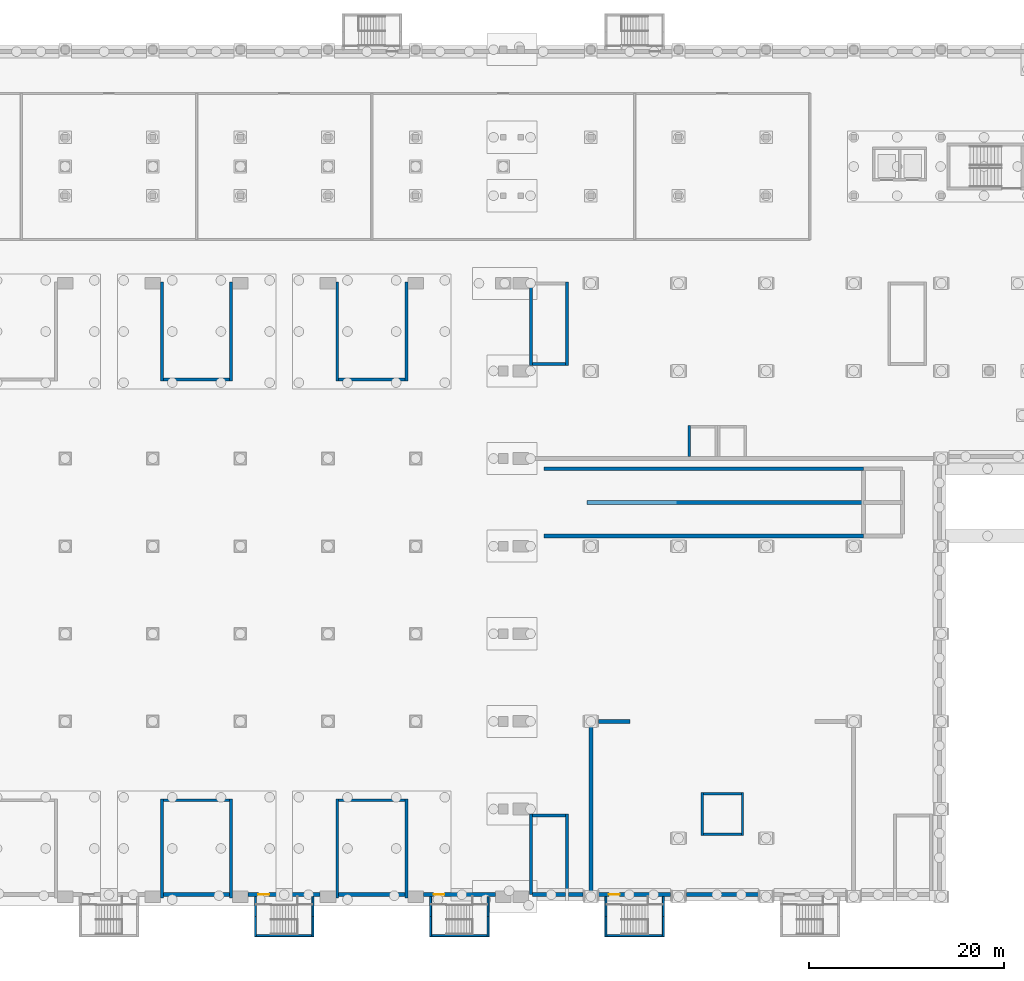
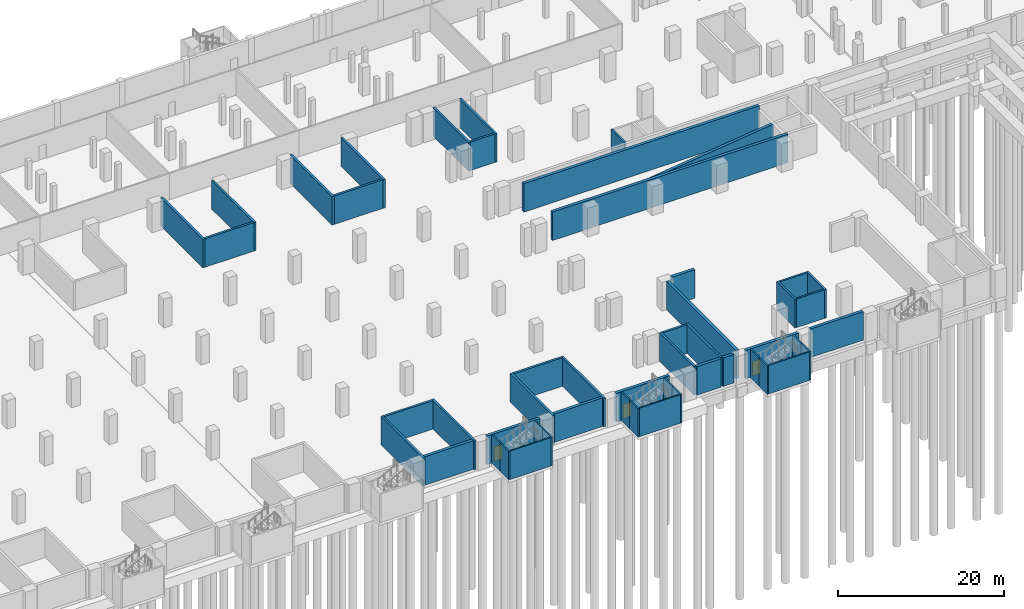
# One storey, part 11 of 29: 51 walls, 3 doors, 3 openings.
"""IFC4 building model written with IfcOpenShell, lengths in metres."""

from ifc_helpers import new_model, si_unit, direction, frame, frame_2d, origin, place, context, subcontext, project, spatial, polyline, rectangle, outline, extrude, material, layer, layer_set, type_object, element, fill, save


model = new_model("IFC4")

# Units and contexts
model_context = context("Model", 3, precision=1e-05, world=origin(), true_north=direction((0.0, 1.0)))
body_context = subcontext(model_context, "Body", "Model", "MODEL_VIEW")
ifc_project = project(units=[si_unit("LENGTHUNIT", "METRE"), si_unit("AREAUNIT", "SQUARE_METRE"), si_unit("VOLUMEUNIT", "CUBIC_METRE"), si_unit("PLANEANGLEUNIT", "RADIAN"), si_unit("MASSUNIT", "GRAM", prefix="KILO")], contexts=[model_context])

# Site, building, storey
site_placement = place(None, origin())
site = spatial("IfcSite", under=ifc_project, at=site_placement, CompositionType="ELEMENT")
building_placement = place(site_placement, origin())
building = spatial("IfcBuilding", under=site, at=building_placement, Name="Aravalli Gate Trade Fair Centre", CompositionType="ELEMENT")
storey_placement = place(building_placement, frame((0.0, 0.0, -8.39990234375)))
storey = spatial("IfcBuildingStorey", under=building, at=storey_placement, Name="B2", CompositionType="ELEMENT", Elevation=-8.39990234375)

# Walls
ifc_material_1 = material(Name="Concrete M40", Category="concrete")
ifc_layer_1 = layer(ifc_material_1, 0.39990234375)
ifc_layer_set_1 = layer_set([ifc_layer_1], Name="Concrete M40")
wall_type_1 = type_object("IfcWallType", Name="Basement ramp edge wall 400", PredefinedType="SOLIDWALL", material=ifc_layer_set_1)
wall_1_placement = place(storey_placement, frame((142.0, 83.050048828125, 0.0), z_axis=(0.0, 0.0, 1.0), x_axis=(-1.0, 0.0, 0.0)))
element("IfcWall", 1, at=wall_1_placement, inside=storey, type_object=wall_type_1, Name="Ramp edge wall south b", PredefinedType="SOLIDWALL", context=body_context, shape_type="SweptSolid", body=[
    extrude(rectangle(XDim=32.8232421875, YDim=0.39990234375, at=frame_2d((16.41162109375, 0.0))), origin(), (0.0, 0.0, 1.0), 4.199951171875),
])
wall_2_placement = place(storey_placement, frame((142.0, 86.5, 0.0), z_axis=(0.0, 0.0, 1.0), x_axis=(-1.0, 0.0, 0.0)))
element("IfcWall", 2, at=wall_2_placement, inside=storey, type_object=wall_type_1, Name="Ramp bearing wall centre b", PredefinedType="SOLIDWALL", context=body_context, shape_type="SweptSolid", body=[
    extrude(outline(polyline([(0.0, 0.0), (28.39990234375, 0.0), (28.39990234375, 0.0498046875), (0.0, 3.599853515625), (0.0, 0.0)])), frame((0.0, 0.199951171875, 0.0), z_axis=(0.0, -1.0, 0.0), x_axis=(1.0, 0.0, 0.0)), (0.0, 0.0, 1.0), 0.39990234375),
])
wall_3_placement = place(storey_placement, frame((142.0, 89.949951171875, 0.0), z_axis=(0.0, 0.0, 1.0), x_axis=(-1.0, 0.0, 0.0)))
element("IfcWall", 3, at=wall_3_placement, inside=storey, type_object=wall_type_1, Name="Ramp edge wall north b", PredefinedType="SOLIDWALL", context=body_context, shape_type="SweptSolid", body=[
    extrude(rectangle(XDim=32.8232421875, YDim=0.39990234375, at=frame_2d((16.41162109375, 0.0))), origin(), (0.0, 0.0, 1.0), 4.199951171875),
])
ifc_layer_2 = layer(ifc_material_1, 0.39990234375)
ifc_layer_set_2 = layer_set([ifc_layer_2], Name="Concrete M40")
wall_type_2 = type_object("IfcWallType", Name="Basement retaining wall 400", PredefinedType="SOLIDWALL", material=ifc_layer_set_2)
wall_4_placement = place(storey_placement, frame((70.10009765625, 46.199951171875, 0.0), z_axis=(0.0, 0.0, 1.0), x_axis=(1.0, 0.0, 0.0)))
element("IfcWall", 4, at=wall_4_placement, inside=storey, type_object=wall_type_2, Name="Retaining wall S08 B2", PredefinedType="SOLIDWALL", context=body_context, shape_type="SweptSolid", body=[
    extrude(rectangle(XDim=6.7998046875, YDim=0.39990234375, at=frame_2d((3.39990234375, 0.0))), origin(), (0.0, 0.0, 1.0), 4.199951171875),
])

# Wall, opening, door
wall_5_placement = place(storey_placement, frame((78.800048828125, 46.199951171875, 0.0), z_axis=(0.0, 0.0, 1.0), x_axis=(1.0, 0.0, 0.0)))
wall_5 = element("IfcWall", 5, at=wall_5_placement, inside=storey, type_object=wall_type_2, Name="Retaining wall S09 B2", PredefinedType="SOLIDWALL", context=body_context, shape_type="SweptSolid", body=[
    extrude(rectangle(XDim=7.39990234375, YDim=0.39990234375, at=frame_2d((3.699951171875, 0.0))), origin(), (0.0, 0.0, 1.0), 4.199951171875),
])
opening_1_placement = place(wall_5_placement, frame((1.050048828125, 0.0, 0.0)))
opening_1 = element("IfcOpeningElement", 6, at=opening_1_placement, cuts=wall_5, Name="Opening B-B2-10", PredefinedType="OPENING", context=body_context, shape_type="SweptSolid", body=[
    extrude(rectangle(XDim=1.10009765625, YDim=2.10009765625, at=frame_2d((0.550048828125, 1.050048828125))), frame((0.0, 0.2099609375, 0.0), z_axis=(0.0, -1.0, 0.0), x_axis=(1.0, 0.0, 0.0)), (0.0, 0.0, 1.0), 0.419921875),
])
ifc_material_2 = material(Name="Steel", Category="steel")
door_type = type_object("IfcDoorType", Name="Basement stair door 1100x2100", OperationType="SINGLE_SWING_LEFT", PredefinedType="DOOR", material=ifc_material_2)
door_1_placement = place(opening_1_placement, frame((1.10009765625, 0.0, 0.0), z_axis=(0.0, 0.0, 1.0), x_axis=(-1.0, 0.0, 0.0)))
door_1 = element("IfcDoor", 7, at=door_1_placement, inside=storey, type_object=door_type, Name="Basement stair S4 door B2", OperationType="SINGLE_SWING_RIGHT", OverallHeight=2.10009765625, OverallWidth=1.10009765625, PredefinedType="DOOR", context=body_context, shape_type="SweptSolid", body=[
    extrude(rectangle(XDim=1.10009765625, YDim=2.10009765625, at=frame_2d((0.550048828125, 1.050048828125))), frame((0.0, 0.02490234375, 0.0), z_axis=(0.0, -1.0, 0.0), x_axis=(1.0, 0.0, 0.0)), (0.0, 0.0, 1.0), 0.050048828125),
])
fill(opening_1, door_1)

# Wall
wall_6_placement = place(storey_placement, frame((88.10009765625, 46.199951171875, 0.0), z_axis=(0.0, 0.0, 1.0), x_axis=(1.0, 0.0, 0.0)))
element("IfcWall", 8, at=wall_6_placement, inside=storey, type_object=wall_type_2, Name="Retaining wall S10 B2", PredefinedType="SOLIDWALL", context=body_context, shape_type="SweptSolid", body=[
    extrude(rectangle(XDim=6.7998046875, YDim=0.39990234375, at=frame_2d((3.39990234375, 0.0))), origin(), (0.0, 0.0, 1.0), 4.199951171875),
])

# Wall, opening, door
wall_7_placement = place(storey_placement, frame((96.800048828125, 46.199951171875, 0.0), z_axis=(0.0, 0.0, 1.0), x_axis=(1.0, 0.0, 0.0)))
wall_7 = element("IfcWall", 9, at=wall_7_placement, inside=storey, type_object=wall_type_2, Name="Retaining wall S11 B2", PredefinedType="SOLIDWALL", context=body_context, shape_type="SweptSolid", body=[
    extrude(rectangle(XDim=7.39990234375, YDim=0.39990234375, at=frame_2d((3.699951171875, 0.0))), origin(), (0.0, 0.0, 1.0), 4.199951171875),
])
opening_2_placement = place(wall_7_placement, frame((1.050048828125, 0.0, 0.0)))
opening_2 = element("IfcOpeningElement", 10, at=opening_2_placement, cuts=wall_7, Name="Opening B-B2-11", PredefinedType="OPENING", context=body_context, shape_type="SweptSolid", body=[
    extrude(rectangle(XDim=1.10009765625, YDim=2.10009765625, at=frame_2d((0.550048828125, 1.050048828125))), frame((0.0, 0.2099609375, 0.0), z_axis=(0.0, -1.0, 0.0), x_axis=(1.0, 0.0, 0.0)), (0.0, 0.0, 1.0), 0.419921875),
])
door_2_placement = place(opening_2_placement, frame((1.10009765625, 0.0, 0.0), z_axis=(0.0, 0.0, 1.0), x_axis=(-1.0, 0.0, 0.0)))
door_2 = element("IfcDoor", 11, at=door_2_placement, inside=storey, type_object=door_type, Name="Basement stair S5 door B2", OperationType="SINGLE_SWING_RIGHT", OverallHeight=2.10009765625, OverallWidth=1.10009765625, PredefinedType="DOOR", context=body_context, shape_type="SweptSolid", body=[
    extrude(rectangle(XDim=1.10009765625, YDim=2.10009765625, at=frame_2d((0.550048828125, 1.050048828125))), frame((0.0, 0.02490234375, 0.0), z_axis=(0.0, -1.0, 0.0), x_axis=(1.0, 0.0, 0.0)), (0.0, 0.0, 1.0), 0.050048828125),
])
fill(opening_2, door_2)

# Walls
wall_8_placement = place(storey_placement, frame((108.0, 46.199951171875, 0.0), z_axis=(0.0, 0.0, 1.0), x_axis=(1.0, 0.0, 0.0)))
element("IfcWall", 12, at=wall_8_placement, inside=storey, type_object=wall_type_2, Name="Retaining wall S12 B2", PredefinedType="SOLIDWALL", context=body_context, shape_type="SweptSolid", body=[
    extrude(rectangle(XDim=3.39990234375, YDim=0.39990234375, at=frame_2d((1.699951171875, 0.0))), origin(), (0.0, 0.0, 1.0), 4.199951171875),
])
wall_9_placement = place(storey_placement, frame((111.699951171875, 46.199951171875, 0.0), z_axis=(0.0, 0.0, 1.0), x_axis=(1.0, 0.0, 0.0)))
element("IfcWall", 13, at=wall_9_placement, inside=storey, type_object=wall_type_2, Name="Retaining wall S13 B2", PredefinedType="SOLIDWALL", context=body_context, shape_type="SweptSolid", body=[
    extrude(rectangle(XDim=1.5, YDim=0.39990234375, at=frame_2d((0.75, 0.0))), origin(), (0.0, 0.0, 1.0), 4.199951171875),
])

# Wall, opening, door
wall_10_placement = place(storey_placement, frame((114.800048828125, 46.199951171875, 0.0), z_axis=(0.0, 0.0, 1.0), x_axis=(1.0, 0.0, 0.0)))
wall_10 = element("IfcWall", 14, at=wall_10_placement, inside=storey, type_object=wall_type_2, Name="Retaining wall S14 B2", PredefinedType="SOLIDWALL", context=body_context, shape_type="SweptSolid", body=[
    extrude(rectangle(XDim=7.39990234375, YDim=0.39990234375, at=frame_2d((3.699951171875, 0.0))), origin(), (0.0, 0.0, 1.0), 4.199951171875),
])
opening_3_placement = place(wall_10_placement, frame((1.050048828125, 0.0, 0.0)))
opening_3 = element("IfcOpeningElement", 15, at=opening_3_placement, cuts=wall_10, Name="Opening B-B2-12", PredefinedType="OPENING", context=body_context, shape_type="SweptSolid", body=[
    extrude(rectangle(XDim=1.10009765625, YDim=2.10009765625, at=frame_2d((0.550048828125, 1.050048828125))), frame((0.0, 0.2099609375, 0.0), z_axis=(0.0, -1.0, 0.0), x_axis=(1.0, 0.0, 0.0)), (0.0, 0.0, 1.0), 0.419921875),
])
door_3_placement = place(opening_3_placement, frame((1.10009765625, 0.0, 0.0), z_axis=(0.0, 0.0, 1.0), x_axis=(-1.0, 0.0, 0.0)))
door_3 = element("IfcDoor", 16, at=door_3_placement, inside=storey, type_object=door_type, Name="Basement stair S6 door B2", OperationType="SINGLE_SWING_RIGHT", OverallHeight=2.10009765625, OverallWidth=1.10009765625, PredefinedType="DOOR", context=body_context, shape_type="SweptSolid", body=[
    extrude(rectangle(XDim=1.10009765625, YDim=2.10009765625, at=frame_2d((0.550048828125, 1.050048828125))), frame((0.0, 0.02490234375, 0.0), z_axis=(0.0, -1.0, 0.0), x_axis=(1.0, 0.0, 0.0)), (0.0, 0.0, 1.0), 0.050048828125),
])
fill(opening_3, door_3)

# Walls
wall_11_placement = place(storey_placement, frame((123.800048828125, 46.199951171875, 0.0), z_axis=(0.0, 0.0, 1.0), x_axis=(1.0, 0.0, 0.0)))
element("IfcWall", 17, at=wall_11_placement, inside=storey, type_object=wall_type_2, Name="Retaining wall S15 B2", PredefinedType="SOLIDWALL", context=body_context, shape_type="SweptSolid", body=[
    extrude(rectangle(XDim=7.39990234375, YDim=0.39990234375, at=frame_2d((3.699951171875, 0.0))), origin(), (0.0, 0.0, 1.0), 4.199951171875),
])
ifc_material_3 = material(Name="Concrete M35", Category="concrete")
ifc_layer_3 = layer(ifc_material_3, 0.199951171875)
ifc_layer_set_3 = layer_set([ifc_layer_3], Name="Concrete M35")
wall_type_3 = type_object("IfcWallType", Name="Basement stair enclosure wall 200", PredefinedType="SOLIDWALL", material=ifc_layer_set_3)
for number, where, z_axis, x_axis, name in (
    (18, (79.550048828125, 46.0, 0.0), (0.0, 0.0, 1.0), (0.0, -1.0, 0.0), "Basement stair S4 enclosure wall L1 B2"),
    (19, (79.550048828125, 43.949951171875, 0.0), (0.0, 0.0, 1.0), (0.0, -1.0, 0.0), "Basement stair S4 enclosure wall L2 B2"),
    (20, (85.449951171875, 46.0, 0.0), (0.0, 0.0, 1.0), (0.0, -1.0, 0.0), "Basement stair S4 enclosure wall R1 B2"),
    (21, (85.449951171875, 43.949951171875, 0.0), (0.0, 0.0, 1.0), (0.0, -1.0, 0.0), "Basement stair S4 enclosure wall R2 B2"),
):
    element("IfcWall", number, at=place(storey_placement, frame(where, z_axis=z_axis, x_axis=x_axis)), inside=storey, type_object=wall_type_3, Name=name, PredefinedType="SOLIDWALL", context=body_context, shape_type="SweptSolid", body=[
        extrude(rectangle(XDim=2.050048828125, YDim=0.199951171875, at=frame_2d((1.02490234375, 0.0))), origin(), (0.0, 0.0, 1.0), 4.199951171875),
    ])
wall_12_placement = place(storey_placement, frame((79.64990234375, 42.0, 0.0), z_axis=(0.0, 0.0, 1.0), x_axis=(1.0, 0.0, 0.0)))
element("IfcWall", 22, at=wall_12_placement, inside=storey, type_object=wall_type_3, Name="Basement stair S4 enclosure wall O B2", PredefinedType="SOLIDWALL", context=body_context, shape_type="SweptSolid", body=[
    extrude(rectangle(XDim=5.7001953125, YDim=0.199951171875, at=frame_2d((2.85009765625, 0.0))), origin(), (0.0, 0.0, 1.0), 4.199951171875),
])
for number, where, z_axis, x_axis, name in (
    (23, (97.550048828125, 46.0, 0.0), (0.0, 0.0, 1.0), (0.0, -1.0, 0.0), "Basement stair S5 enclosure wall L1 B2"),
    (24, (97.550048828125, 43.949951171875, 0.0), (0.0, 0.0, 1.0), (0.0, -1.0, 0.0), "Basement stair S5 enclosure wall L2 B2"),
    (25, (103.449951171875, 46.0, 0.0), (0.0, 0.0, 1.0), (0.0, -1.0, 0.0), "Basement stair S5 enclosure wall R1 B2"),
    (26, (103.449951171875, 43.949951171875, 0.0), (0.0, 0.0, 1.0), (0.0, -1.0, 0.0), "Basement stair S5 enclosure wall R2 B2"),
):
    element("IfcWall", number, at=place(storey_placement, frame(where, z_axis=z_axis, x_axis=x_axis)), inside=storey, type_object=wall_type_3, Name=name, PredefinedType="SOLIDWALL", context=body_context, shape_type="SweptSolid", body=[
        extrude(rectangle(XDim=2.050048828125, YDim=0.199951171875, at=frame_2d((1.02490234375, 0.0))), origin(), (0.0, 0.0, 1.0), 4.199951171875),
    ])
wall_13_placement = place(storey_placement, frame((97.64990234375, 42.0, 0.0), z_axis=(0.0, 0.0, 1.0), x_axis=(1.0, 0.0, 0.0)))
element("IfcWall", 27, at=wall_13_placement, inside=storey, type_object=wall_type_3, Name="Basement stair S5 enclosure wall O B2", PredefinedType="SOLIDWALL", context=body_context, shape_type="SweptSolid", body=[
    extrude(rectangle(XDim=5.7001953125, YDim=0.199951171875, at=frame_2d((2.85009765625, 0.0))), origin(), (0.0, 0.0, 1.0), 4.199951171875),
])
for number, where, z_axis, x_axis, name in (
    (28, (115.550048828125, 46.0, 0.0), (0.0, 0.0, 1.0), (0.0, -1.0, 0.0), "Basement stair S6 enclosure wall L1 B2"),
    (29, (115.550048828125, 43.949951171875, 0.0), (0.0, 0.0, 1.0), (0.0, -1.0, 0.0), "Basement stair S6 enclosure wall L2 B2"),
    (30, (121.449951171875, 46.0, 0.0), (0.0, 0.0, 1.0), (0.0, -1.0, 0.0), "Basement stair S6 enclosure wall R1 B2"),
    (31, (121.449951171875, 43.949951171875, 0.0), (0.0, 0.0, 1.0), (0.0, -1.0, 0.0), "Basement stair S6 enclosure wall R2 B2"),
):
    element("IfcWall", number, at=place(storey_placement, frame(where, z_axis=z_axis, x_axis=x_axis)), inside=storey, type_object=wall_type_3, Name=name, PredefinedType="SOLIDWALL", context=body_context, shape_type="SweptSolid", body=[
        extrude(rectangle(XDim=2.050048828125, YDim=0.199951171875, at=frame_2d((1.02490234375, 0.0))), origin(), (0.0, 0.0, 1.0), 4.199951171875),
    ])
wall_14_placement = place(storey_placement, frame((115.64990234375, 42.0, 0.0), z_axis=(0.0, 0.0, 1.0), x_axis=(1.0, 0.0, 0.0)))
element("IfcWall", 32, at=wall_14_placement, inside=storey, type_object=wall_type_3, Name="Basement stair S6 enclosure wall O B2", PredefinedType="SOLIDWALL", context=body_context, shape_type="SweptSolid", body=[
    extrude(rectangle(XDim=5.7001953125, YDim=0.199951171875, at=frame_2d((2.85009765625, 0.0))), origin(), (0.0, 0.0, 1.0), 4.199951171875),
])
ifc_layer_4 = layer(ifc_material_1, 0.25)
ifc_layer_set_4 = layer_set([ifc_layer_4], Name="Concrete M40")
wall_type_4 = type_object("IfcWallType", Name="Congress RC wall 250 shaft", PredefinedType="SHEAR", material=ifc_layer_set_4)
for number, where, z_axis, x_axis, name in (
    (33, (125.425048828125, 52.300048828125, 0.0), (0.0, 0.0, 1.0), (0.0, 1.0, 0.0), "Goods lift shaft wall W B2"),
    (34, (129.574951171875, 52.300048828125, 0.0), (0.0, 0.0, 1.0), (0.0, 1.0, 0.0), "Goods lift shaft wall E B2"),
):
    element("IfcWall", number, at=place(storey_placement, frame(where, z_axis=z_axis, x_axis=x_axis)), inside=storey, type_object=wall_type_4, Name=name, PredefinedType="SHEAR", context=body_context, shape_type="SweptSolid", body=[
        extrude(rectangle(XDim=4.39990234375, YDim=0.25, at=frame_2d((2.199951171875, 0.0))), origin(), (0.0, 0.0, 1.0), 4.199951171875),
    ])
for number, where, z_axis, x_axis, name in (
    (35, (125.550048828125, 52.425048828125, 0.0), (0.0, 0.0, 1.0), (1.0, 0.0, 0.0), "Goods lift shaft wall F B2"),
    (36, (125.550048828125, 56.574951171875, 0.0), (0.0, 0.0, 1.0), (1.0, 0.0, 0.0), "Goods lift shaft wall N B2"),
):
    element("IfcWall", number, at=place(storey_placement, frame(where, z_axis=z_axis, x_axis=x_axis)), inside=storey, type_object=wall_type_4, Name=name, PredefinedType="SHEAR", context=body_context, shape_type="SweptSolid", body=[
        extrude(rectangle(XDim=3.89990234375, YDim=0.25, at=frame_2d((1.949951171875, 0.0))), origin(), (0.0, 0.0, 1.0), 4.199951171875),
    ])
wall_15_placement = place(storey_placement, frame((124.125, 91.199951171875, 0.0), z_axis=(0.0, 0.0, 1.0), x_axis=(0.0, 1.0, 0.0)))
element("IfcWall", 37, at=wall_15_placement, inside=storey, type_object=wall_type_4, Name="Lift GL1 shaft wall W B2", PredefinedType="SHEAR", context=body_context, shape_type="SweptSolid", body=[
    extrude(rectangle(XDim=3.199951171875, YDim=0.25, at=frame_2d((1.60009765625, 0.0))), origin(), (0.0, 0.0, 1.0), 4.199951171875),
])
ifc_layer_5 = layer(ifc_material_1, 0.300048828125)
ifc_layer_set_5 = layer_set([ifc_layer_5], Name="Concrete M40")
wall_type_5 = type_object("IfcWallType", Name="Congress RC wall 300", PredefinedType="SHEAR", material=ifc_layer_set_5)
for number, where, z_axis, x_axis, name in (
    (38, (107.85009765625, 46.199951171875, 0.0), (0.0, 0.0, 1.0), (0.0, 1.0, 0.0), "Stage Stair West wall W B2"),
    (39, (111.550048828125, 46.199951171875, 0.0), (0.0, 0.0, 1.0), (0.0, 1.0, 0.0), "Stage Stair West wall E B2"),
):
    element("IfcWall", number, at=place(storey_placement, frame(where, z_axis=z_axis, x_axis=x_axis)), inside=storey, type_object=wall_type_5, Name=name, PredefinedType="SHEAR", context=body_context, shape_type="SweptSolid", body=[
        extrude(rectangle(XDim=8.300048828125, YDim=0.300048828125, at=frame_2d((4.14990234375, 0.0))), origin(), (0.0, 0.0, 1.0), 4.199951171875),
    ])
wall_16_placement = place(storey_placement, frame((108.0, 54.35009765625, 0.0), z_axis=(0.0, 0.0, 1.0), x_axis=(1.0, 0.0, 0.0)))
element("IfcWall", 40, at=wall_16_placement, inside=storey, type_object=wall_type_5, Name="Stage Stair West wall N B2", PredefinedType="SHEAR", context=body_context, shape_type="SweptSolid", body=[
    extrude(rectangle(XDim=3.39990234375, YDim=0.300048828125, at=frame_2d((1.699951171875, 0.0))), origin(), (0.0, 0.0, 1.0), 4.199951171875),
])
for number, where, z_axis, x_axis, name in (
    (41, (107.85009765625, 100.550048828125, 0.0), (0.0, 0.0, 1.0), (0.0, 1.0, 0.0), "Foyer Stair West wall W B2"),
    (42, (111.550048828125, 100.550048828125, 0.0), (0.0, 0.0, 1.0), (0.0, 1.0, 0.0), "Foyer Stair West wall E B2"),
):
    element("IfcWall", number, at=place(storey_placement, frame(where, z_axis=z_axis, x_axis=x_axis)), inside=storey, type_object=wall_type_5, Name=name, PredefinedType="SHEAR", context=body_context, shape_type="SweptSolid", body=[
        extrude(rectangle(XDim=8.599853515625, YDim=0.300048828125, at=frame_2d((4.2998046875, 0.0))), origin(), (0.0, 0.0, 1.0), 4.199951171875),
    ])
wall_17_placement = place(storey_placement, frame((108.0, 100.699951171875, 0.0), z_axis=(0.0, 0.0, 1.0), x_axis=(1.0, 0.0, 0.0)))
element("IfcWall", 43, at=wall_17_placement, inside=storey, type_object=wall_type_5, Name="Foyer Stair West wall S B2", PredefinedType="SHEAR", context=body_context, shape_type="SweptSolid", body=[
    extrude(rectangle(XDim=3.39990234375, YDim=0.300048828125, at=frame_2d((1.699951171875, 0.0))), origin(), (0.0, 0.0, 1.0), 4.199951171875),
])
ifc_layer_6 = layer(ifc_material_1, 0.39990234375)
ifc_layer_set_6 = layer_set([ifc_layer_6], Name="Concrete M40")
wall_type_6 = type_object("IfcWallType", Name="Congress RC wall 400", PredefinedType="SHEAR", material=ifc_layer_set_6)
wall_18_placement = place(storey_placement, frame((114.0, 46.60009765625, 0.0), z_axis=(0.0, 0.0, 1.0), x_axis=(0.0, 1.0, 0.0)))
element("IfcWall", 44, at=wall_18_placement, inside=storey, type_object=wall_type_6, Name="Stage house wall line 114 B2", PredefinedType="SHEAR", context=body_context, shape_type="SweptSolid", body=[
    extrude(rectangle(XDim=16.7998046875, YDim=0.39990234375, at=frame_2d((8.39990234375, 0.0))), origin(), (0.0, 0.0, 1.0), 4.199951171875),
])
wall_19_placement = place(storey_placement, frame((114.800048828125, 64.0, 0.0), z_axis=(0.0, 0.0, 1.0), x_axis=(1.0, 0.0, 0.0)))
element("IfcWall", 45, at=wall_19_placement, inside=storey, type_object=wall_type_6, Name="Proscenium wall W B2", PredefinedType="SHEAR", context=body_context, shape_type="SweptSolid", body=[
    extrude(rectangle(XDim=3.199951171875, YDim=0.39990234375, at=frame_2d((1.60009765625, 0.0))), origin(), (0.0, 0.0, 1.0), 4.199951171875),
])
ifc_layer_7 = layer(ifc_material_1, 0.300048828125)
ifc_layer_set_7 = layer_set([ifc_layer_7], Name="Concrete M40")
wall_type_7 = type_object("IfcWallType", Name="Stair tower wall RC 300", PredefinedType="SHEAR", material=ifc_layer_set_7)
for number, where, z_axis, x_axis, name in (
    (46, (69.949951171875, 45.85009765625, 0.0), (0.0, 0.0, 1.0), (0.0, 1.0, 0.0), "Stair tower S08 wall W B2"),
    (47, (77.050048828125, 45.85009765625, 0.0), (0.0, 0.0, 1.0), (0.0, 1.0, 0.0), "Stair tower S08 wall E B2"),
):
    element("IfcWall", number, at=place(storey_placement, frame(where, z_axis=z_axis, x_axis=x_axis)), inside=storey, type_object=wall_type_7, Name=name, PredefinedType="SHEAR", context=body_context, shape_type="SweptSolid", body=[
        extrude(rectangle(XDim=10.199951171875, YDim=0.300048828125, at=frame_2d((5.10009765625, 0.0))), origin(), (0.0, 0.0, 1.0), 4.199951171875),
    ])
wall_20_placement = place(storey_placement, frame((70.10009765625, 55.89990234375, 0.0), z_axis=(0.0, 0.0, 1.0), x_axis=(1.0, 0.0, 0.0)))
element("IfcWall", 48, at=wall_20_placement, inside=storey, type_object=wall_type_7, Name="Stair tower S08 wall F B2", PredefinedType="SHEAR", context=body_context, shape_type="SweptSolid", body=[
    extrude(rectangle(XDim=6.7998046875, YDim=0.300048828125, at=frame_2d((3.39990234375, 0.0))), origin(), (0.0, 0.0, 1.0), 4.199951171875),
])
for number, where, z_axis, x_axis, name in (
    (49, (87.949951171875, 45.85009765625, 0.0), (0.0, 0.0, 1.0), (0.0, 1.0, 0.0), "Stair tower S10 wall W B2"),
    (50, (95.050048828125, 45.85009765625, 0.0), (0.0, 0.0, 1.0), (0.0, 1.0, 0.0), "Stair tower S10 wall E B2"),
):
    element("IfcWall", number, at=place(storey_placement, frame(where, z_axis=z_axis, x_axis=x_axis)), inside=storey, type_object=wall_type_7, Name=name, PredefinedType="SHEAR", context=body_context, shape_type="SweptSolid", body=[
        extrude(rectangle(XDim=10.199951171875, YDim=0.300048828125, at=frame_2d((5.10009765625, 0.0))), origin(), (0.0, 0.0, 1.0), 4.199951171875),
    ])
wall_21_placement = place(storey_placement, frame((88.10009765625, 55.89990234375, 0.0), z_axis=(0.0, 0.0, 1.0), x_axis=(1.0, 0.0, 0.0)))
element("IfcWall", 51, at=wall_21_placement, inside=storey, type_object=wall_type_7, Name="Stair tower S10 wall F B2", PredefinedType="SHEAR", context=body_context, shape_type="SweptSolid", body=[
    extrude(rectangle(XDim=6.7998046875, YDim=0.300048828125, at=frame_2d((3.39990234375, 0.0))), origin(), (0.0, 0.0, 1.0), 4.199951171875),
])
for number, where, z_axis, x_axis, name in (
    (52, (69.949951171875, 109.14990234375, 0.0), (0.0, 0.0, 1.0), (0.0, -1.0, 0.0), "Stair tower N08 wall W B2"),
    (53, (77.050048828125, 109.14990234375, 0.0), (0.0, 0.0, 1.0), (0.0, -1.0, 0.0), "Stair tower N08 wall E B2"),
):
    element("IfcWall", number, at=place(storey_placement, frame(where, z_axis=z_axis, x_axis=x_axis)), inside=storey, type_object=wall_type_7, Name=name, PredefinedType="SHEAR", context=body_context, shape_type="SweptSolid", body=[
        extrude(rectangle(XDim=10.199951171875, YDim=0.300048828125, at=frame_2d((5.10009765625, 0.0))), origin(), (0.0, 0.0, 1.0), 4.199951171875),
    ])
wall_22_placement = place(storey_placement, frame((70.10009765625, 99.10009765625, 0.0), z_axis=(0.0, 0.0, 1.0), x_axis=(1.0, 0.0, 0.0)))
element("IfcWall", 54, at=wall_22_placement, inside=storey, type_object=wall_type_7, Name="Stair tower N08 wall F B2", PredefinedType="SHEAR", context=body_context, shape_type="SweptSolid", body=[
    extrude(rectangle(XDim=6.7998046875, YDim=0.300048828125, at=frame_2d((3.39990234375, 0.0))), origin(), (0.0, 0.0, 1.0), 4.199951171875),
])
for number, where, z_axis, x_axis, name in (
    (55, (87.949951171875, 109.14990234375, 0.0), (0.0, 0.0, 1.0), (0.0, -1.0, 0.0), "Stair tower N10 wall W B2"),
    (56, (95.050048828125, 109.14990234375, 0.0), (0.0, 0.0, 1.0), (0.0, -1.0, 0.0), "Stair tower N10 wall E B2"),
):
    element("IfcWall", number, at=place(storey_placement, frame(where, z_axis=z_axis, x_axis=x_axis)), inside=storey, type_object=wall_type_7, Name=name, PredefinedType="SHEAR", context=body_context, shape_type="SweptSolid", body=[
        extrude(rectangle(XDim=10.199951171875, YDim=0.300048828125, at=frame_2d((5.10009765625, 0.0))), origin(), (0.0, 0.0, 1.0), 4.199951171875),
    ])
wall_23_placement = place(storey_placement, frame((88.10009765625, 99.10009765625, 0.0), z_axis=(0.0, 0.0, 1.0), x_axis=(1.0, 0.0, 0.0)))
element("IfcWall", 57, at=wall_23_placement, inside=storey, type_object=wall_type_7, Name="Stair tower N10 wall F B2", PredefinedType="SHEAR", context=body_context, shape_type="SweptSolid", body=[
    extrude(rectangle(XDim=6.7998046875, YDim=0.300048828125, at=frame_2d((3.39990234375, 0.0))), origin(), (0.0, 0.0, 1.0), 4.199951171875),
])

save(model, "model.ifc")
